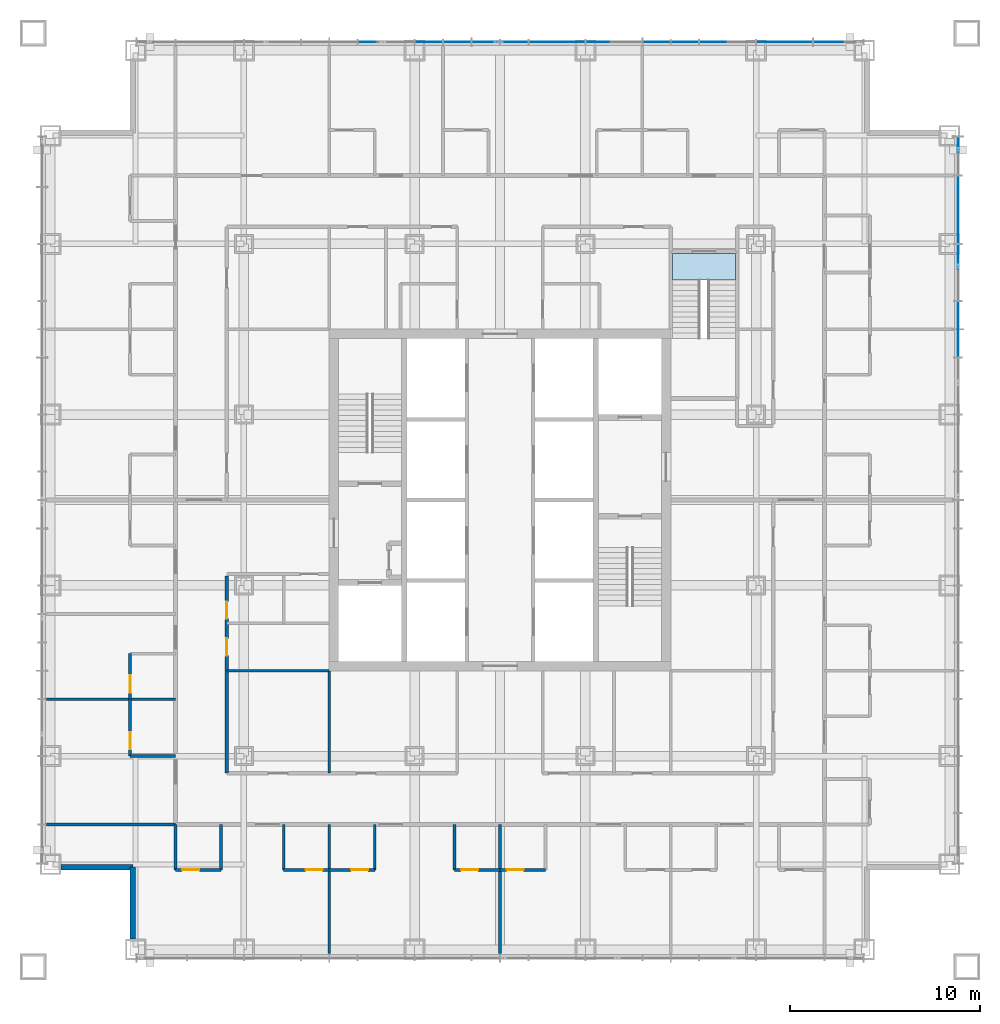
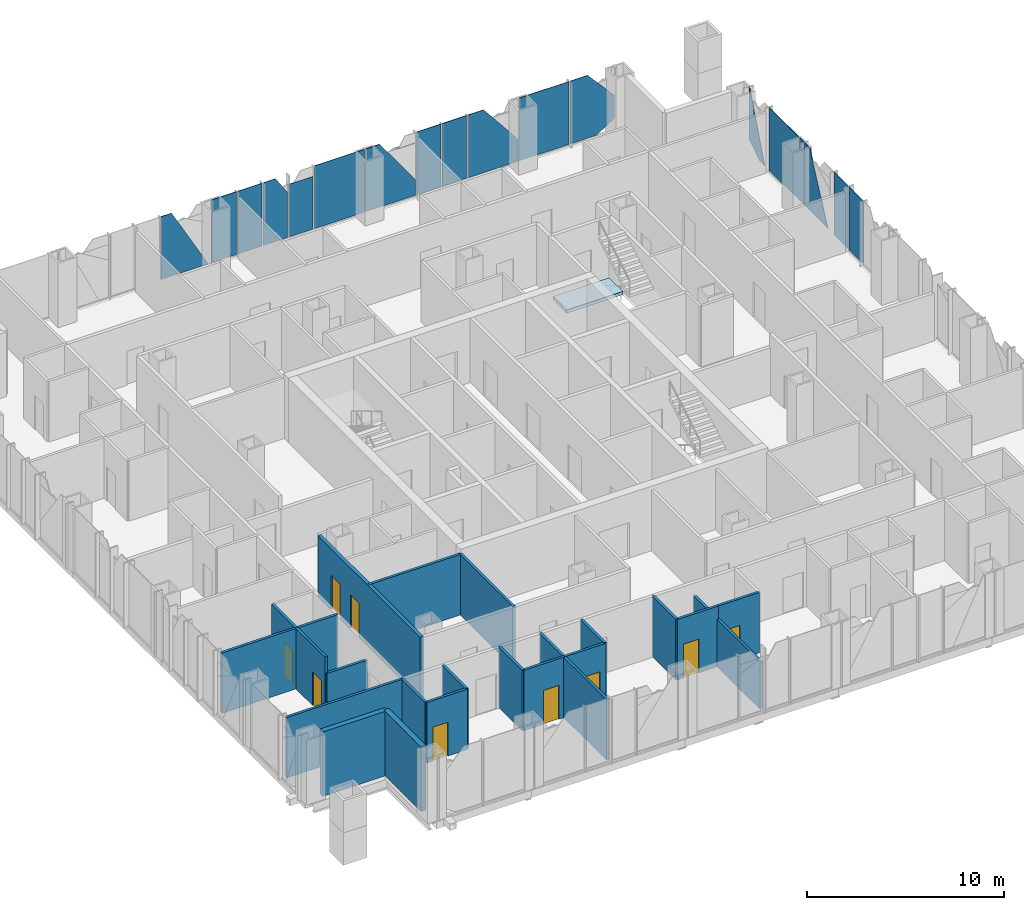
# One storey, part 8 of 23: 22 walls, 17 plates, 9 doors, 1 slab, 9 openings, 3 elements without a shape of their own.
"""IFC4 building model written with IfcOpenShell, lengths in metres."""

from ifc_helpers import new_model, si_unit, direction, frame, frame_2d, origin, origin_2d, place, context, subcontext, project, spatial, polyline, rectangle, outline, extrude, material, layer, layer_set, type_object, element, fill, aggregate, save


model = new_model("IFC4")

# Units and contexts
model_context = context("Model", 3, precision=1e-05, world=origin(), true_north=direction((0.0, 1.0)))
body_context = subcontext(model_context, "Body", "Model", "MODEL_VIEW")
ifc_project = project(units=[si_unit("LENGTHUNIT", "METRE"), si_unit("AREAUNIT", "SQUARE_METRE"), si_unit("VOLUMEUNIT", "CUBIC_METRE"), si_unit("PLANEANGLEUNIT", "RADIAN"), si_unit("MASSUNIT", "GRAM", prefix="KILO")], contexts=[model_context])

# Site, building, storey
site_placement = place(None, origin())
site = spatial("IfcSite", under=ifc_project, at=site_placement, CompositionType="ELEMENT")
building_placement = place(site_placement, origin())
building = spatial("IfcBuilding", under=site, at=building_placement, Name="Malebo Sky Hospital", CompositionType="ELEMENT")
storey_placement = place(building_placement, frame((0.0, 0.0, 168.0)))
storey = spatial("IfcBuildingStorey", under=building, at=storey_placement, Name="L40", CompositionType="ELEMENT", Elevation=168.0)

# Stair, slab
ifc_material_1 = material(Name="Concrete C40/50", Category="concrete")
stair_type = type_object("IfcStairType", Name="HALF-TURN STAIR 1400 R167", PredefinedType="HALF_TURN_STAIR", material=ifc_material_1)
stair_placement = place(storey_placement, origin())
stair = element("IfcStair", 1, at=stair_placement, inside=storey, type_object=stair_type, Name="Stair S3 L40 type ST1B", PredefinedType="HALF_TURN_STAIR")
ifc_layer_1 = layer(ifc_material_1, 0.199951171875)
ifc_layer_set_1 = layer_set([ifc_layer_1], Name="STAIR LANDING 200")
slab_type = type_object("IfcSlabType", Name="STAIR LANDING 200", PredefinedType="LANDING", material=ifc_layer_set_1)
slab_placement = place(storey_placement, frame((0.0, 0.0, -0.199951171875)))
slab = element("IfcSlab", 2, at=slab_placement, type_object=slab_type, Name="S3 landing 1", PredefinedType="LANDING", context=body_context, shape_type="SweptSolid", body=[
    extrude(outline(polyline([(69.10009765625, 73.60009765625), (72.39990234375, 73.60009765625), (72.39990234375, 75.0), (69.10009765625, 75.0), (69.10009765625, 73.60009765625)])), origin(), (0.0, 0.0, 1.0), 0.199951171875),
])
aggregate(stair, [slab])

# Curtain wall, plates
ifc_material_2 = material(Name="Anodised aluminium, natural silver", Category="aluminium")
ifc_layer_2 = layer(ifc_material_2, 0.25)
ifc_layer_set_2 = layer_set([ifc_layer_2], Name="WARD CURTAIN WALL NORTH AND SOUTH")
curtain_wall_type_1 = type_object("IfcCurtainWallType", Name="WARD CURTAIN WALL NORTH AND SOUTH", PredefinedType="NOTDEFINED", material=ifc_layer_set_2)
curtain_wall_1_placement = place(storey_placement, origin())
curtain_wall_1 = element("IfcCurtainWall", 3, at=curtain_wall_1_placement, inside=storey, type_object=curtain_wall_type_1, Name="NS curtain wall N", PredefinedType="NOTDEFINED")
ifc_material_3 = material(Name="Clear low-iron double glazing", Category="glass")
ifc_layer_3 = layer(ifc_material_3, 0.031982421875)
ifc_layer_set_3 = layer_set([ifc_layer_3], Name="VISION PANEL CLEAR 32")
plate_type = type_object("IfcPlateType", Name="VISION PANEL CLEAR 32", PredefinedType="CURTAIN_PANEL", material=ifc_layer_set_3)
plate_1_placement = place(storey_placement, frame((53.926513671875, 86.135009765625, 0.10009765625), z_axis=(0.0, 0.0, 1.0), x_axis=(1.0, 0.0, 0.0)))
plate_1 = element("IfcPlate", 4, at=plate_1_placement, type_object=plate_type, Name="Panel 6", PredefinedType="CURTAIN_PANEL", context=body_context, shape_type="SweptSolid", body=[
    extrude(outline(polyline([(-1.388916015625, 0.0), (1.388916015625, 0.0), (-0.75927734375, 3.889892578125), (-1.388916015625, 3.889892578125), (-1.388916015625, 0.0)])), frame((0.0, 0.01611328125, 0.0), z_axis=(0.0, -1.0, 0.0), x_axis=(1.0, 0.0, 0.0)), (0.0, 0.0, 1.0), 0.031982421875),
])
plate_2_placement = place(storey_placement, frame((56.25, 86.135009765625, 0.10009765625), z_axis=(0.0, 0.0, 1.0), x_axis=(1.0, 0.0, 0.0)))
plate_2 = element("IfcPlate", 5, at=plate_2_placement, type_object=plate_type, Name="Panel 7", PredefinedType="CURTAIN_PANEL", context=body_context, shape_type="SweptSolid", body=[
    extrude(rectangle(XDim=1.425048828125, YDim=0.031982421875, at=origin_2d()), origin(), (0.0, 0.0, 1.0), 3.889892578125),
])
plate_3_placement = place(storey_placement, frame((57.75, 86.135009765625, 0.10009765625), z_axis=(0.0, 0.0, 1.0), x_axis=(1.0, 0.0, 0.0)))
plate_3 = element("IfcPlate", 6, at=plate_3_placement, type_object=plate_type, Name="Panel 8", PredefinedType="CURTAIN_PANEL", context=body_context, shape_type="SweptSolid", body=[
    extrude(rectangle(XDim=1.425048828125, YDim=0.031982421875, at=origin_2d()), origin(), (0.0, 0.0, 1.0), 3.889892578125),
])
plate_4_placement = place(storey_placement, frame((59.25, 86.135009765625, 0.10009765625), z_axis=(0.0, 0.0, 1.0), x_axis=(1.0, 0.0, 0.0)))
plate_4 = element("IfcPlate", 7, at=plate_4_placement, type_object=plate_type, Name="Panel 9", PredefinedType="CURTAIN_PANEL", context=body_context, shape_type="SweptSolid", body=[
    extrude(outline(polyline([(-0.71240234375, 0.0), (0.71240234375, 0.0), (0.71240234375, 2.79345703125), (0.0166015625, 3.889892578125), (-0.71240234375, 3.889892578125), (-0.71240234375, 0.0)])), frame((0.0, 0.01611328125, 0.0), z_axis=(0.0, -1.0, 0.0), x_axis=(1.0, 0.0, 0.0)), (0.0, 0.0, 1.0), 0.031982421875),
])
plate_5_placement = place(storey_placement, frame((60.75, 86.135009765625, 0.10009765625), z_axis=(0.0, 0.0, 1.0), x_axis=(1.0, 0.0, 0.0)))
plate_5 = element("IfcPlate", 8, at=plate_5_placement, type_object=plate_type, Name="Panel 10", PredefinedType="CURTAIN_PANEL", context=body_context, shape_type="SweptSolid", body=[
    extrude(outline(polyline([(-0.71240234375, 0.0), (0.71240234375, 0.0), (0.71240234375, 3.267822265625), (-0.71240234375, 3.267822265625), (-0.71240234375, 0.0)])), frame((0.0, 0.01611328125, 0.0), z_axis=(0.0, -1.0, 0.0), x_axis=(1.0, 0.0, 0.0)), (0.0, 0.0, 1.0), 0.031982421875),
])
plate_6_placement = place(storey_placement, frame((63.0, 86.135009765625, 0.10009765625), z_axis=(0.0, 0.0, 1.0), x_axis=(1.0, 0.0, 0.0)))
plate_6 = element("IfcPlate", 9, at=plate_6_placement, type_object=plate_type, Name="Panel 11", PredefinedType="CURTAIN_PANEL", context=body_context, shape_type="SweptSolid", body=[
    extrude(rectangle(XDim=2.925048828125, YDim=0.031982421875, at=origin_2d()), origin(), (0.0, 0.0, 1.0), 3.889892578125),
])
plate_7_placement = place(storey_placement, frame((66.0, 86.135009765625, 0.10009765625), z_axis=(0.0, 0.0, 1.0), x_axis=(1.0, 0.0, 0.0)))
plate_7 = element("IfcPlate", 10, at=plate_7_placement, type_object=plate_type, Name="Panel 12", PredefinedType="CURTAIN_PANEL", context=body_context, shape_type="SweptSolid", body=[
    extrude(outline(polyline([(-1.46240234375, 0.0), (1.46240234375, 0.0), (1.46240234375, 0.96630859375), (-0.634033203125, 3.889892578125), (-1.46240234375, 3.889892578125), (-1.46240234375, 0.0)])), frame((0.0, 0.01611328125, 0.0), z_axis=(0.0, -1.0, 0.0), x_axis=(1.0, 0.0, 0.0)), (0.0, 0.0, 1.0), 0.031982421875),
])
plate_8_placement = place(storey_placement, frame((68.25, 86.135009765625, 0.10009765625), z_axis=(0.0, 0.0, 1.0), x_axis=(1.0, 0.0, 0.0)))
plate_8 = element("IfcPlate", 11, at=plate_8_placement, type_object=plate_type, Name="Panel 13", PredefinedType="CURTAIN_PANEL", context=body_context, shape_type="SweptSolid", body=[
    extrude(rectangle(XDim=1.425048828125, YDim=0.031982421875, at=origin_2d()), origin(), (0.0, 0.0, 1.0), 3.889892578125),
])
plate_9_placement = place(storey_placement, frame((69.75, 86.135009765625, 0.10009765625), z_axis=(0.0, 0.0, 1.0), x_axis=(1.0, 0.0, 0.0)))
plate_9 = element("IfcPlate", 12, at=plate_9_placement, type_object=plate_type, Name="Panel 14", PredefinedType="CURTAIN_PANEL", context=body_context, shape_type="SweptSolid", body=[
    extrude(rectangle(XDim=1.425048828125, YDim=0.031982421875, at=origin_2d()), origin(), (0.0, 0.0, 1.0), 3.889892578125),
])
plate_10_placement = place(storey_placement, frame((72.0, 86.135009765625, 0.10009765625), z_axis=(0.0, 0.0, 1.0), x_axis=(1.0, 0.0, 0.0)))
plate_10 = element("IfcPlate", 13, at=plate_10_placement, type_object=plate_type, Name="Panel 15", PredefinedType="CURTAIN_PANEL", context=body_context, shape_type="SweptSolid", body=[
    extrude(outline(polyline([(-1.46240234375, 0.0), (1.46240234375, 0.0), (1.46240234375, 1.3916015625), (-0.534912109375, 3.889892578125), (-1.46240234375, 3.889892578125), (-1.46240234375, 0.0)])), frame((0.0, 0.01611328125, 0.0), z_axis=(0.0, -1.0, 0.0), x_axis=(1.0, 0.0, 0.0)), (0.0, 0.0, 1.0), 0.031982421875),
])
plate_11_placement = place(storey_placement, frame((75.0, 86.135009765625, 0.10009765625), z_axis=(0.0, 0.0, 1.0), x_axis=(1.0, 0.0, 0.0)))
plate_11 = element("IfcPlate", 14, at=plate_11_placement, type_object=plate_type, Name="Panel 16", PredefinedType="CURTAIN_PANEL", context=body_context, shape_type="SweptSolid", body=[
    extrude(rectangle(XDim=2.925048828125, YDim=0.031982421875, at=origin_2d()), origin(), (0.0, 0.0, 1.0), 3.889892578125),
])
plate_12_placement = place(storey_placement, frame((77.831298828125, 86.135009765625, 0.10009765625), z_axis=(0.0, 0.0, 1.0), x_axis=(1.0, 0.0, 0.0)))
plate_12 = element("IfcPlate", 15, at=plate_12_placement, type_object=plate_type, Name="Panel 17", PredefinedType="CURTAIN_PANEL", context=body_context, shape_type="SweptSolid", body=[
    extrude(outline(polyline([(-1.293701171875, 0.0), (0.240234375, 0.0), (1.293701171875, 0.685302734375), (1.293701171875, 2.118896484375), (-0.26806640625, 3.889892578125), (-1.293701171875, 3.889892578125), (-1.293701171875, 0.0)])), frame((0.0, 0.01611328125, 0.0), z_axis=(0.0, -1.0, 0.0), x_axis=(1.0, 0.0, 0.0)), (0.0, 0.0, 1.0), 0.031982421875),
])
aggregate(curtain_wall_1, [plate_1, plate_2, plate_3, plate_4, plate_5, plate_6, plate_7, plate_8, plate_9, plate_10, plate_11, plate_12])

ifc_layer_4 = layer(ifc_material_2, 0.25)
ifc_layer_set_4 = layer_set([ifc_layer_4], Name="WARD CURTAIN WALL EAST AND WEST")
curtain_wall_type_2 = type_object("IfcCurtainWallType", Name="WARD CURTAIN WALL EAST AND WEST", PredefinedType="NOTDEFINED", material=ifc_layer_set_4)
curtain_wall_2_placement = place(storey_placement, origin())
curtain_wall_2 = element("IfcCurtainWall", 16, at=curtain_wall_2_placement, inside=storey, type_object=curtain_wall_type_2, Name="EW curtain wall E", PredefinedType="NOTDEFINED")
plate_13_placement = place(storey_placement, frame((84.135009765625, 80.32275390625, 0.10009765625), z_axis=(0.0, 0.0, 1.0), x_axis=(0.0, -1.0, 0.0)))
plate_13 = element("IfcPlate", 17, at=plate_13_placement, type_object=plate_type, Name="Panel 1", PredefinedType="CURTAIN_PANEL", context=body_context, shape_type="SweptSolid", body=[
    extrude(outline(polyline([(0.25146484375, 0.0), (0.80224609375, 0.0), (-0.70458984375, 3.889892578125), (-0.80224609375, 3.889892578125), (-0.80224609375, 0.685302734375), (0.25146484375, 0.0)])), frame((0.0, 0.01611328125, 0.0), z_axis=(0.0, -1.0, 0.0), x_axis=(1.0, 0.0, 0.0)), (0.0, 0.0, 1.0), 0.031982421875),
])
plate_14_placement = place(storey_placement, frame((84.135009765625, 77.300048828125, 0.10009765625), z_axis=(0.0, 0.0, 1.0), x_axis=(0.0, -1.0, 0.0)))
plate_14 = element("IfcPlate", 18, at=plate_14_placement, type_object=plate_type, Name="Panel 2", PredefinedType="CURTAIN_PANEL", context=body_context, shape_type="SweptSolid", body=[
    extrude(rectangle(XDim=3.52490234375, YDim=0.031982421875, at=origin_2d()), origin(), (0.0, 0.0, 1.0), 3.889892578125),
])
plate_15_placement = place(storey_placement, frame((84.135009765625, 74.283203125, 0.10009765625), z_axis=(0.0, 0.0, 1.0), x_axis=(0.0, -1.0, 0.0)))
plate_15 = element("IfcPlate", 19, at=plate_15_placement, type_object=plate_type, Name="Panel 3", PredefinedType="CURTAIN_PANEL", context=body_context, shape_type="SweptSolid", body=[
    extrude(outline(polyline([(-1.17919921875, 0.0), (1.17919921875, 0.0), (-0.648193359375, 3.889892578125), (-1.17919921875, 3.889892578125), (-1.17919921875, 0.0)])), frame((0.0, 0.01611328125, 0.0), z_axis=(0.0, -1.0, 0.0), x_axis=(1.0, 0.0, 0.0)), (0.0, 0.0, 1.0), 0.031982421875),
])
plate_16_placement = place(storey_placement, frame((84.135009765625, 71.75, 0.10009765625), z_axis=(0.0, 0.0, 1.0), x_axis=(0.0, -1.0, 0.0)))
plate_16 = element("IfcPlate", 20, at=plate_16_placement, type_object=plate_type, Name="Panel 4", PredefinedType="CURTAIN_PANEL", context=body_context, shape_type="SweptSolid", body=[
    extrude(rectangle(XDim=1.425048828125, YDim=0.031982421875, at=origin_2d()), origin(), (0.0, 0.0, 1.0), 3.889892578125),
])
plate_17_placement = place(storey_placement, frame((84.135009765625, 70.25, 0.10009765625), z_axis=(0.0, 0.0, 1.0), x_axis=(0.0, -1.0, 0.0)))
plate_17 = element("IfcPlate", 21, at=plate_17_placement, type_object=plate_type, Name="Panel 5", PredefinedType="CURTAIN_PANEL", context=body_context, shape_type="SweptSolid", body=[
    extrude(rectangle(XDim=1.425048828125, YDim=0.031982421875, at=origin_2d()), origin(), (0.0, 0.0, 1.0), 3.889892578125),
])
aggregate(curtain_wall_2, [plate_13, plate_14, plate_15, plate_16, plate_17])

# Wall, openings, doors
ifc_material_4 = material(Name="Gypsum board on steel studs", Category="steel")
ifc_layer_5 = layer(ifc_material_4, 0.199951171875)
ifc_layer_set_5 = layer_set([ifc_layer_5], Name="CORRIDOR WALL 200")
wall_type_1 = type_object("IfcWallType", Name="CORRIDOR WALL 200", PredefinedType="PARTITIONING", material=ifc_layer_set_5)
wall_1_placement = place(storey_placement, frame((45.60009765625, 47.60009765625, 0.0), z_axis=(0.0, 0.0, 1.0), x_axis=(0.0, 1.0, 0.0)))
wall_1 = element("IfcWall", 22, at=wall_1_placement, inside=storey, type_object=wall_type_1, Name="Corridor Wall 200 WCI1", PredefinedType="PARTITIONING", context=body_context, shape_type="SweptSolid", body=[
    extrude(rectangle(XDim=10.39990234375, YDim=0.199951171875, at=frame_2d((5.199951171875, 0.0))), origin(), (0.0, 0.0, 1.0), 3.75),
])
opening_1_placement = place(wall_1_placement, frame((6.199951171875, 0.0, 0.0)))
opening_1 = element("IfcOpeningElement", 23, at=opening_1_placement, cuts=wall_1, Name="Opening D04", PredefinedType="OPENING", context=body_context, shape_type="SweptSolid", body=[
    extrude(rectangle(XDim=0.89990234375, YDim=2.10009765625, at=frame_2d((0.449951171875, 1.050048828125))), frame((0.0, 0.10986328125, 0.0), z_axis=(0.0, -1.0, 0.0), x_axis=(1.0, 0.0, 0.0)), (0.0, 0.0, 1.0), 0.219970703125),
])
opening_2_placement = place(wall_1_placement, frame((8.14990234375, 0.0, 0.0)))
opening_2 = element("IfcOpeningElement", 24, at=opening_2_placement, cuts=wall_1, Name="Opening D04", PredefinedType="OPENING", context=body_context, shape_type="SweptSolid", body=[
    extrude(rectangle(XDim=0.89990234375, YDim=2.10009765625, at=frame_2d((0.449951171875, 1.050048828125))), frame((0.0, 0.10986328125, 0.0), z_axis=(0.0, -1.0, 0.0), x_axis=(1.0, 0.0, 0.0)), (0.0, 0.0, 1.0), 0.219970703125),
])
ifc_material_5 = material(Name="Hardwood-faced door leaf in steel frame", Category="steel")
door_type_1 = type_object("IfcDoorType", Name="ROOM DOOR 900", OperationType="SINGLE_SWING_LEFT", PredefinedType="DOOR", material=ifc_material_5)
door_1_placement = place(opening_1_placement, origin())
door_1 = element("IfcDoor", 25, at=door_1_placement, inside=storey, type_object=door_type_1, Name="Dirty utility room door", OperationType="SINGLE_SWING_LEFT", OverallHeight=2.10009765625, OverallWidth=0.89990234375, PredefinedType="DOOR", context=body_context, shape_type="SweptSolid", body=[
    extrude(rectangle(XDim=0.89990234375, YDim=2.10009765625, at=frame_2d((0.449951171875, 1.050048828125))), frame((0.0, 0.02490234375, 0.0), z_axis=(0.0, -1.0, 0.0), x_axis=(1.0, 0.0, 0.0)), (0.0, 0.0, 1.0), 0.050048828125),
])
fill(opening_1, door_1)
door_2_placement = place(opening_2_placement, origin())
door_2 = element("IfcDoor", 26, at=door_2_placement, inside=storey, type_object=door_type_1, Name="Linen store door", OperationType="SINGLE_SWING_LEFT", OverallHeight=2.10009765625, OverallWidth=0.89990234375, PredefinedType="DOOR", context=body_context, shape_type="SweptSolid", body=[
    extrude(rectangle(XDim=0.89990234375, YDim=2.10009765625, at=frame_2d((0.449951171875, 1.050048828125))), frame((0.0, 0.02490234375, 0.0), z_axis=(0.0, -1.0, 0.0), x_axis=(1.0, 0.0, 0.0)), (0.0, 0.0, 1.0), 0.050048828125),
])
fill(opening_2, door_2)

# Walls
ifc_material_6 = material(Name="Anodised aluminium rainscreen on steel framing", Category="steel")
ifc_layer_6 = layer(ifc_material_6, 0.300048828125)
ifc_layer_set_6 = layer_set([ifc_layer_6], Name="NOTCH RAINSCREEN WALL 300")
wall_type_2 = type_object("IfcWallType", Name="NOTCH RAINSCREEN WALL 300", PredefinedType="ELEMENTEDWALL", material=ifc_layer_set_6)
for number, where, z_axis, x_axis, name in (
    (27, (40.64990234375, 38.85009765625, 0.0), (0.0, 0.0, 1.0), (0.0, 1.0, 0.0), "Notch rainscreen wall S1 L40"),
    (28, (40.64990234375, 42.64990234375, 0.0), (0.0, 0.0, 1.0), (-1.0, 0.0, 0.0), "Notch rainscreen wall S2 L40"),
):
    element("IfcWall", number, at=place(storey_placement, frame(where, z_axis=z_axis, x_axis=x_axis)), inside=storey, type_object=wall_type_2, Name=name, PredefinedType="ELEMENTEDWALL", context=body_context, shape_type="SweptSolid", body=[
        extrude(rectangle(XDim=3.7998046875, YDim=0.300048828125, at=frame_2d((1.89990234375, 0.0))), origin(), (0.0, 0.0, 1.0), 4.0),
    ])
ifc_layer_7 = layer(ifc_material_4, 0.14990234375)
ifc_layer_set_7 = layer_set([ifc_layer_7], Name="PARTITION 150")
wall_type_3 = type_object("IfcWallType", Name="PARTITION 150", PredefinedType="PARTITIONING", material=ifc_layer_set_7)
for number, where, z_axis, x_axis, name in (
    (29, (42.89990234375, 51.5, 0.0), (0.0, 0.0, 1.0), (-1.0, 0.0, 0.0), "Partition 150 WP-10.5"),
    (30, (42.89990234375, 44.89990234375, 0.0), (0.0, 0.0, 1.0), (-1.0, 0.0, 0.0), "Partition 150 WP0"),
):
    element("IfcWall", number, at=place(storey_placement, frame(where, z_axis=z_axis, x_axis=x_axis)), inside=storey, type_object=wall_type_3, Name=name, PredefinedType="PARTITIONING", context=body_context, shape_type="SweptSolid", body=[
        extrude(rectangle(XDim=6.809814453125, YDim=0.14990234375, at=frame_2d((3.40478515625, 0.0))), origin(), (0.0, 0.0, 1.0), 3.75),
    ])

# Wall, opening, door
wall_2_placement = place(storey_placement, frame((40.5, 48.5, 0.0), z_axis=(0.0, 0.0, 1.0), x_axis=(0.0, 1.0, 0.0)))
wall_2 = element("IfcWall", 31, at=wall_2_placement, inside=storey, type_object=wall_type_3, Name="Partition 150 WE0F", PredefinedType="PARTITIONING", context=body_context, shape_type="SweptSolid", body=[
    extrude(rectangle(XDim=3.0, YDim=0.14990234375, at=frame_2d((1.5, 0.0))), origin(), (0.0, 0.0, 1.0), 3.75),
])
opening_3_placement = place(wall_2_placement, frame((0.35009765625, 0.0, 0.0)))
opening_3 = element("IfcOpeningElement", 32, at=opening_3_placement, cuts=wall_2, Name="Opening D02", PredefinedType="OPENING", context=body_context, shape_type="SweptSolid", body=[
    extrude(rectangle(XDim=0.89990234375, YDim=2.10009765625, at=frame_2d((0.449951171875, 1.050048828125))), frame((0.0, 0.0849609375, 0.0), z_axis=(0.0, -1.0, 0.0), x_axis=(1.0, 0.0, 0.0)), (0.0, 0.0, 1.0), 0.169921875),
])
door_type_2 = type_object("IfcDoorType", Name="EN-SUITE DOOR 900", OperationType="SINGLE_SWING_LEFT", PredefinedType="DOOR", material=ifc_material_5)
door_3_placement = place(opening_3_placement, origin())
door_3 = element("IfcDoor", 33, at=door_3_placement, inside=storey, type_object=door_type_2, Name="En-suite door", OperationType="SINGLE_SWING_LEFT", OverallHeight=2.10009765625, OverallWidth=0.89990234375, PredefinedType="DOOR", context=body_context, shape_type="SweptSolid", body=[
    extrude(rectangle(XDim=0.89990234375, YDim=2.10009765625, at=frame_2d((0.449951171875, 1.050048828125))), frame((0.0, 0.02490234375, 0.0), z_axis=(0.0, -1.0, 0.0), x_axis=(1.0, 0.0, 0.0)), (0.0, 0.0, 1.0), 0.050048828125),
])
fill(opening_3, door_3)

# Wall
wall_3_placement = place(storey_placement, frame((42.89990234375, 48.5, 0.0), z_axis=(0.0, 0.0, 1.0), x_axis=(-1.0, 0.0, 0.0)))
element("IfcWall", 34, at=wall_3_placement, inside=storey, type_object=wall_type_3, Name="Partition 150 WE0S", PredefinedType="PARTITIONING", context=body_context, shape_type="SweptSolid", body=[
    extrude(rectangle(XDim=2.39990234375, YDim=0.14990234375, at=frame_2d((1.199951171875, 0.0))), origin(), (0.0, 0.0, 1.0), 2.75),
])

# Wall, opening, door
wall_4_placement = place(storey_placement, frame((40.5, 51.5, 0.0), z_axis=(0.0, 0.0, 1.0), x_axis=(0.0, 1.0, 0.0)))
wall_4 = element("IfcWall", 35, at=wall_4_placement, inside=storey, type_object=wall_type_3, Name="Partition 150 WE1F", PredefinedType="PARTITIONING", context=body_context, shape_type="SweptSolid", body=[
    extrude(rectangle(XDim=2.39990234375, YDim=0.14990234375, at=frame_2d((1.199951171875, 0.0))), origin(), (0.0, 0.0, 1.0), 3.75),
])
opening_4_placement = place(wall_4_placement, frame((0.35009765625, 0.0, 0.0)))
opening_4 = element("IfcOpeningElement", 36, at=opening_4_placement, cuts=wall_4, Name="Opening D02", PredefinedType="OPENING", context=body_context, shape_type="SweptSolid", body=[
    extrude(rectangle(XDim=0.89990234375, YDim=2.10009765625, at=frame_2d((0.449951171875, 1.050048828125))), frame((0.0, 0.0849609375, 0.0), z_axis=(0.0, -1.0, 0.0), x_axis=(1.0, 0.0, 0.0)), (0.0, 0.0, 1.0), 0.169921875),
])
door_4_placement = place(opening_4_placement, origin())
door_4 = element("IfcDoor", 37, at=door_4_placement, inside=storey, type_object=door_type_2, Name="En-suite door", OperationType="SINGLE_SWING_LEFT", OverallHeight=2.10009765625, OverallWidth=0.89990234375, PredefinedType="DOOR", context=body_context, shape_type="SweptSolid", body=[
    extrude(rectangle(XDim=0.89990234375, YDim=2.10009765625, at=frame_2d((0.449951171875, 1.050048828125))), frame((0.0, 0.02490234375, 0.0), z_axis=(0.0, -1.0, 0.0), x_axis=(1.0, 0.0, 0.0)), (0.0, 0.0, 1.0), 0.050048828125),
])
fill(opening_4, door_4)

# Walls
wall_5_placement = place(storey_placement, frame((51.0, 53.0, 0.0), z_axis=(0.0, 0.0, 1.0), x_axis=(-1.0, 0.0, 0.0)))
element("IfcWall", 38, at=wall_5_placement, inside=storey, type_object=wall_type_3, Name="Partition 150 WSP0", PredefinedType="PARTITIONING", context=body_context, shape_type="SweptSolid", body=[
    extrude(rectangle(XDim=5.39990234375, YDim=0.14990234375, at=frame_2d((2.699951171875, 0.0))), origin(), (0.0, 0.0, 1.0), 3.75),
])
wall_6_placement = place(storey_placement, frame((60.0, 44.89990234375, 0.0), z_axis=(0.0, 0.0, 1.0), x_axis=(0.0, -1.0, 0.0)))
element("IfcWall", 39, at=wall_6_placement, inside=storey, type_object=wall_type_3, Name="Partition 150 SP+0.0", PredefinedType="PARTITIONING", context=body_context, shape_type="SweptSolid", body=[
    extrude(rectangle(XDim=6.809814453125, YDim=0.14990234375, at=frame_2d((3.40478515625, 0.0))), origin(), (0.0, 0.0, 1.0), 2.949951171875),
])
wall_7_placement = place(storey_placement, frame((51.0, 44.89990234375, 0.0), z_axis=(0.0, 0.0, 1.0), x_axis=(0.0, -1.0, 0.0)))
element("IfcWall", 40, at=wall_7_placement, inside=storey, type_object=wall_type_3, Name="Partition 150 SP+9.0", PredefinedType="PARTITIONING", context=body_context, shape_type="SweptSolid", body=[
    extrude(rectangle(XDim=6.809814453125, YDim=0.14990234375, at=frame_2d((3.40478515625, 0.0))), origin(), (0.0, 0.0, 1.0), 3.75),
])

# Wall, opening, door
wall_8_placement = place(storey_placement, frame((62.39990234375, 42.5, 0.0), z_axis=(0.0, 0.0, 1.0), x_axis=(-1.0, 0.0, 0.0)))
wall_8 = element("IfcWall", 41, at=wall_8_placement, inside=storey, type_object=wall_type_3, Name="Partition 150 SG1F", PredefinedType="PARTITIONING", context=body_context, shape_type="SweptSolid", body=[
    extrude(rectangle(XDim=2.39990234375, YDim=0.14990234375, at=frame_2d((1.199951171875, 0.0))), origin(), (0.0, 0.0, 1.0), 3.75),
])
opening_5_placement = place(wall_8_placement, frame((1.14990234375, 0.0, 0.0)))
opening_5 = element("IfcOpeningElement", 42, at=opening_5_placement, cuts=wall_8, Name="Opening D02", PredefinedType="OPENING", context=body_context, shape_type="SweptSolid", body=[
    extrude(rectangle(XDim=0.89990234375, YDim=2.10009765625, at=frame_2d((0.449951171875, 1.050048828125))), frame((0.0, 0.0849609375, 0.0), z_axis=(0.0, -1.0, 0.0), x_axis=(1.0, 0.0, 0.0)), (0.0, 0.0, 1.0), 0.169921875),
])
door_5_placement = place(opening_5_placement, origin())
door_5 = element("IfcDoor", 43, at=door_5_placement, inside=storey, type_object=door_type_2, Name="En-suite door", OperationType="SINGLE_SWING_RIGHT", OverallHeight=2.10009765625, OverallWidth=0.89990234375, PredefinedType="DOOR", context=body_context, shape_type="SweptSolid", body=[
    extrude(rectangle(XDim=0.89990234375, YDim=2.10009765625, at=frame_2d((0.449951171875, 1.050048828125))), frame((0.0, 0.02490234375, 0.0), z_axis=(0.0, -1.0, 0.0), x_axis=(1.0, 0.0, 0.0)), (0.0, 0.0, 1.0), 0.050048828125),
])
fill(opening_5, door_5)

wall_9_placement = place(storey_placement, frame((53.39990234375, 42.5, 0.0), z_axis=(0.0, 0.0, 1.0), x_axis=(-1.0, 0.0, 0.0)))
wall_9 = element("IfcWall", 44, at=wall_9_placement, inside=storey, type_object=wall_type_3, Name="Partition 150 SE2F", PredefinedType="PARTITIONING", context=body_context, shape_type="SweptSolid", body=[
    extrude(rectangle(XDim=2.39990234375, YDim=0.14990234375, at=frame_2d((1.199951171875, 0.0))), origin(), (0.0, 0.0, 1.0), 3.75),
])
opening_6_placement = place(wall_9_placement, frame((0.35009765625, 0.0, 0.0)))
opening_6 = element("IfcOpeningElement", 45, at=opening_6_placement, cuts=wall_9, Name="Opening D02", PredefinedType="OPENING", context=body_context, shape_type="SweptSolid", body=[
    extrude(rectangle(XDim=0.89990234375, YDim=2.10009765625, at=frame_2d((0.449951171875, 1.050048828125))), frame((0.0, 0.0849609375, 0.0), z_axis=(0.0, -1.0, 0.0), x_axis=(1.0, 0.0, 0.0)), (0.0, 0.0, 1.0), 0.169921875),
])
door_6_placement = place(opening_6_placement, origin())
door_6 = element("IfcDoor", 46, at=door_6_placement, inside=storey, type_object=door_type_2, Name="En-suite door", OperationType="SINGLE_SWING_LEFT", OverallHeight=2.10009765625, OverallWidth=0.89990234375, PredefinedType="DOOR", context=body_context, shape_type="SweptSolid", body=[
    extrude(rectangle(XDim=0.89990234375, YDim=2.10009765625, at=frame_2d((0.449951171875, 1.050048828125))), frame((0.0, 0.02490234375, 0.0), z_axis=(0.0, -1.0, 0.0), x_axis=(1.0, 0.0, 0.0)), (0.0, 0.0, 1.0), 0.050048828125),
])
fill(opening_6, door_6)

# Wall
wall_10_placement = place(storey_placement, frame((53.39990234375, 44.89990234375, 0.0), z_axis=(0.0, 0.0, 1.0), x_axis=(0.0, -1.0, 0.0)))
element("IfcWall", 47, at=wall_10_placement, inside=storey, type_object=wall_type_3, Name="Partition 150 SE2S", PredefinedType="PARTITIONING", context=body_context, shape_type="SweptSolid", body=[
    extrude(rectangle(XDim=2.39990234375, YDim=0.14990234375, at=frame_2d((1.199951171875, 0.0))), origin(), (0.0, 0.0, 1.0), 3.75),
])

# Wall, opening, door
wall_11_placement = place(storey_placement, frame((60.0, 42.5, 0.0), z_axis=(0.0, 0.0, 1.0), x_axis=(-1.0, 0.0, 0.0)))
wall_11 = element("IfcWall", 48, at=wall_11_placement, inside=storey, type_object=wall_type_3, Name="Partition 150 SG2F", PredefinedType="PARTITIONING", context=body_context, shape_type="SweptSolid", body=[
    extrude(rectangle(XDim=2.39990234375, YDim=0.14990234375, at=frame_2d((1.199951171875, 0.0))), origin(), (0.0, 0.0, 1.0), 3.75),
])
opening_7_placement = place(wall_11_placement, frame((1.14990234375, 0.0, 0.0)))
opening_7 = element("IfcOpeningElement", 49, at=opening_7_placement, cuts=wall_11, Name="Opening D02", PredefinedType="OPENING", context=body_context, shape_type="SweptSolid", body=[
    extrude(rectangle(XDim=0.89990234375, YDim=2.10009765625, at=frame_2d((0.449951171875, 1.050048828125))), frame((0.0, 0.0849609375, 0.0), z_axis=(0.0, -1.0, 0.0), x_axis=(1.0, 0.0, 0.0)), (0.0, 0.0, 1.0), 0.169921875),
])
door_7_placement = place(opening_7_placement, origin())
door_7 = element("IfcDoor", 50, at=door_7_placement, inside=storey, type_object=door_type_2, Name="En-suite door", OperationType="SINGLE_SWING_RIGHT", OverallHeight=2.10009765625, OverallWidth=0.89990234375, PredefinedType="DOOR", context=body_context, shape_type="SweptSolid", body=[
    extrude(rectangle(XDim=0.89990234375, YDim=2.10009765625, at=frame_2d((0.449951171875, 1.050048828125))), frame((0.0, 0.02490234375, 0.0), z_axis=(0.0, -1.0, 0.0), x_axis=(1.0, 0.0, 0.0)), (0.0, 0.0, 1.0), 0.050048828125),
])
fill(opening_7, door_7)

# Wall
wall_12_placement = place(storey_placement, frame((57.60009765625, 44.89990234375, 0.0), z_axis=(0.0, 0.0, 1.0), x_axis=(0.0, -1.0, 0.0)))
element("IfcWall", 51, at=wall_12_placement, inside=storey, type_object=wall_type_3, Name="Partition 150 SG2S", PredefinedType="PARTITIONING", context=body_context, shape_type="SweptSolid", body=[
    extrude(rectangle(XDim=2.39990234375, YDim=0.14990234375, at=frame_2d((1.199951171875, 0.0))), origin(), (0.0, 0.0, 1.0), 3.75),
])

# Wall, opening, door
wall_13_placement = place(storey_placement, frame((51.0, 42.5, 0.0), z_axis=(0.0, 0.0, 1.0), x_axis=(-1.0, 0.0, 0.0)))
wall_13 = element("IfcWall", 52, at=wall_13_placement, inside=storey, type_object=wall_type_3, Name="Partition 150 SE3F", PredefinedType="PARTITIONING", context=body_context, shape_type="SweptSolid", body=[
    extrude(rectangle(XDim=2.39990234375, YDim=0.14990234375, at=frame_2d((1.199951171875, 0.0))), origin(), (0.0, 0.0, 1.0), 3.75),
])
opening_8_placement = place(wall_13_placement, frame((0.35009765625, 0.0, 0.0)))
opening_8 = element("IfcOpeningElement", 53, at=opening_8_placement, cuts=wall_13, Name="Opening D02", PredefinedType="OPENING", context=body_context, shape_type="SweptSolid", body=[
    extrude(rectangle(XDim=0.89990234375, YDim=2.10009765625, at=frame_2d((0.449951171875, 1.050048828125))), frame((0.0, 0.0849609375, 0.0), z_axis=(0.0, -1.0, 0.0), x_axis=(1.0, 0.0, 0.0)), (0.0, 0.0, 1.0), 0.169921875),
])
door_8_placement = place(opening_8_placement, origin())
door_8 = element("IfcDoor", 54, at=door_8_placement, inside=storey, type_object=door_type_2, Name="En-suite door", OperationType="SINGLE_SWING_LEFT", OverallHeight=2.10009765625, OverallWidth=0.89990234375, PredefinedType="DOOR", context=body_context, shape_type="SweptSolid", body=[
    extrude(rectangle(XDim=0.89990234375, YDim=2.10009765625, at=frame_2d((0.449951171875, 1.050048828125))), frame((0.0, 0.02490234375, 0.0), z_axis=(0.0, -1.0, 0.0), x_axis=(1.0, 0.0, 0.0)), (0.0, 0.0, 1.0), 0.050048828125),
])
fill(opening_8, door_8)

# Wall
wall_14_placement = place(storey_placement, frame((48.60009765625, 44.89990234375, 0.0), z_axis=(0.0, 0.0, 1.0), x_axis=(0.0, -1.0, 0.0)))
element("IfcWall", 55, at=wall_14_placement, inside=storey, type_object=wall_type_3, Name="Partition 150 SE3S", PredefinedType="PARTITIONING", context=body_context, shape_type="SweptSolid", body=[
    extrude(rectangle(XDim=2.39990234375, YDim=0.14990234375, at=frame_2d((1.199951171875, 0.0))), origin(), (0.0, 0.0, 1.0), 3.75),
])

# Wall, opening, door
wall_15_placement = place(storey_placement, frame((45.300048828125, 42.5, 0.0), z_axis=(0.0, 0.0, 1.0), x_axis=(-1.0, 0.0, 0.0)))
wall_15 = element("IfcWall", 56, at=wall_15_placement, inside=storey, type_object=wall_type_3, Name="Partition 150 SG3F", PredefinedType="PARTITIONING", context=body_context, shape_type="SweptSolid", body=[
    extrude(rectangle(XDim=2.400146484375, YDim=0.14990234375, at=frame_2d((1.2001953125, 0.0))), origin(), (0.0, 0.0, 1.0), 3.75),
])
opening_9_placement = place(wall_15_placement, frame((1.14990234375, 0.0, 0.0)))
opening_9 = element("IfcOpeningElement", 57, at=opening_9_placement, cuts=wall_15, Name="Opening D02", PredefinedType="OPENING", context=body_context, shape_type="SweptSolid", body=[
    extrude(rectangle(XDim=0.89990234375, YDim=2.10009765625, at=frame_2d((0.449951171875, 1.050048828125))), frame((0.0, 0.0849609375, 0.0), z_axis=(0.0, -1.0, 0.0), x_axis=(1.0, 0.0, 0.0)), (0.0, 0.0, 1.0), 0.169921875),
])
door_9_placement = place(opening_9_placement, origin())
door_9 = element("IfcDoor", 58, at=door_9_placement, inside=storey, type_object=door_type_2, Name="En-suite door", OperationType="SINGLE_SWING_RIGHT", OverallHeight=2.10009765625, OverallWidth=0.89990234375, PredefinedType="DOOR", context=body_context, shape_type="SweptSolid", body=[
    extrude(rectangle(XDim=0.89990234375, YDim=2.10009765625, at=frame_2d((0.449951171875, 1.050048828125))), frame((0.0, 0.02490234375, 0.0), z_axis=(0.0, -1.0, 0.0), x_axis=(1.0, 0.0, 0.0)), (0.0, 0.0, 1.0), 0.050048828125),
])
fill(opening_9, door_9)

# Walls
for number, where, z_axis, x_axis, name in (
    (59, (45.300048828125, 44.89990234375, 0.0), (0.0, 0.0, 1.0), (0.0, -1.0, 0.0), "Partition 150 SG3S"),
    (60, (42.89990234375, 44.89990234375, 0.0), (0.0, 0.0, 1.0), (0.0, -1.0, 0.0), "Partition 150 SEZ"),
):
    element("IfcWall", number, at=place(storey_placement, frame(where, z_axis=z_axis, x_axis=x_axis)), inside=storey, type_object=wall_type_3, Name=name, PredefinedType="PARTITIONING", context=body_context, shape_type="SweptSolid", body=[
        extrude(rectangle(XDim=2.39990234375, YDim=0.14990234375, at=frame_2d((1.199951171875, 0.0))), origin(), (0.0, 0.0, 1.0), 3.75),
    ])
wall_16_placement = place(storey_placement, frame((51.0, 53.0, 0.0), z_axis=(0.0, 0.0, 1.0), x_axis=(0.0, -1.0, 0.0)))
element("IfcWall", 61, at=wall_16_placement, inside=storey, type_object=wall_type_3, Name="Partition 150 SSP+9.0", PredefinedType="PARTITIONING", context=body_context, shape_type="SweptSolid", body=[
    extrude(rectangle(XDim=5.39990234375, YDim=0.14990234375, at=frame_2d((2.699951171875, 0.0))), origin(), (0.0, 0.0, 1.0), 3.75),
])

save(model, "model.ifc")
